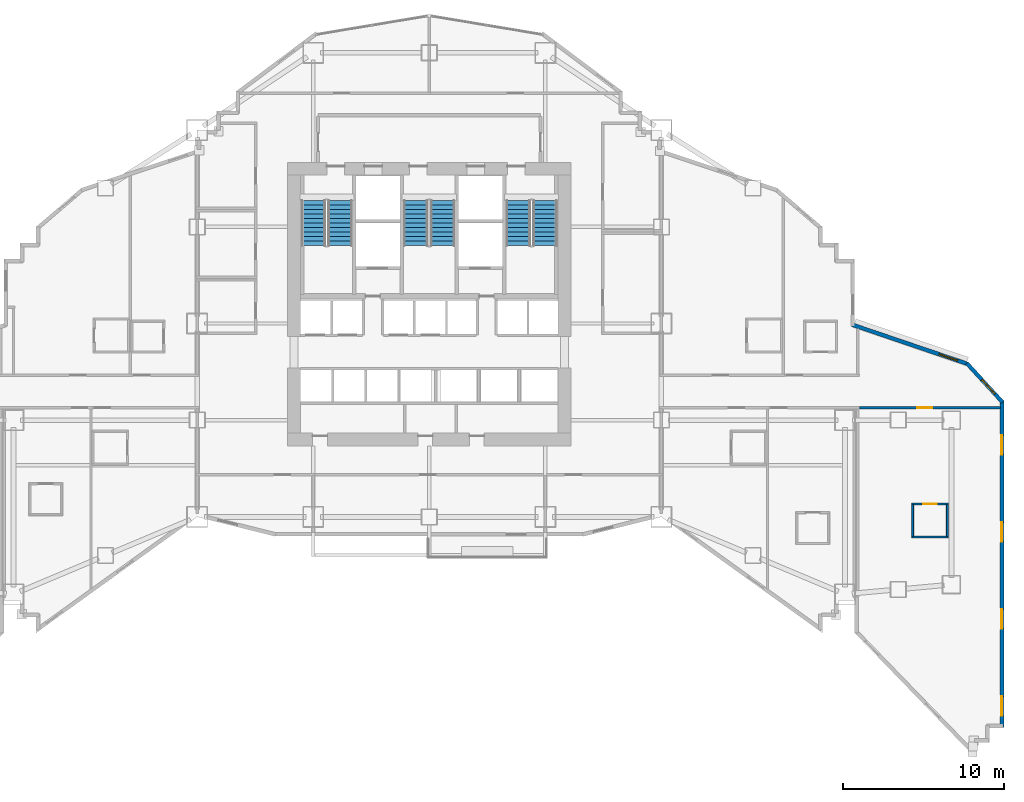
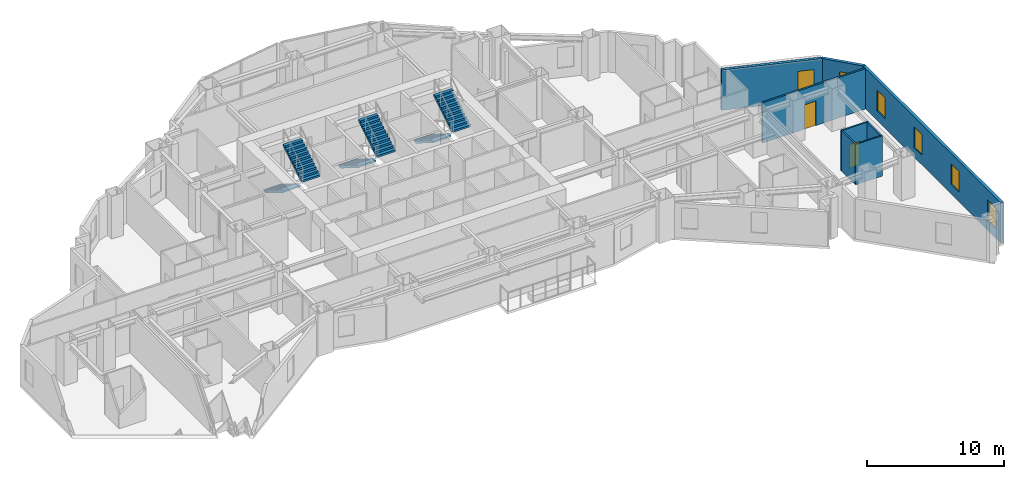
# One storey, part 12 of 17: 8 walls, 6 stair flights, 6 windows, 2 doors, 8 openings, 3 elements without a shape of their own.
"""IFC4 building model written with IfcOpenShell, lengths in metres."""

from ifc_helpers import new_model, si_unit, direction, frame, frame_2d, origin, place, context, subcontext, project, spatial, polyline, rectangle, outline, extrude, material, layer, layer_set, type_object, element, fill, aggregate, save


model = new_model("IFC4")

# Units and contexts
model_context = context("Model", 3, precision=1e-05, world=origin(), true_north=direction((0.0, 1.0)))
body_context = subcontext(model_context, "Body", "Model", "MODEL_VIEW")
ifc_project = project(units=[si_unit("LENGTHUNIT", "METRE"), si_unit("AREAUNIT", "SQUARE_METRE"), si_unit("VOLUMEUNIT", "CUBIC_METRE"), si_unit("PLANEANGLEUNIT", "RADIAN"), si_unit("MASSUNIT", "GRAM", prefix="KILO")], contexts=[model_context])

# Site, building, storey
site_placement = place(None, origin())
site = spatial("IfcSite", under=ifc_project, at=site_placement, CompositionType="ELEMENT")
building_placement = place(site_placement, origin())
building = spatial("IfcBuilding", under=site, at=building_placement, Name="Haolan Belvedere Tower", CompositionType="ELEMENT")
storey_placement = place(building_placement, frame((0.0, 0.0, 35.39990234375)))
storey = spatial("IfcBuildingStorey", under=building, at=storey_placement, Name="L08", CompositionType="ELEMENT", Elevation=35.39990234375)

# Wall, openings, windows
ifc_material_1 = material(Name="Precast concrete C40/50", Category="concrete")
ifc_layer_1 = layer(ifc_material_1, 0.239990234375, Name="Precast concrete C40/50")
ifc_layer_set_1 = layer_set([ifc_layer_1], Name="Precast concrete C40/50")
wall_type_1 = type_object("IfcWallType", Name="WL-EXT-240", PredefinedType="SOLIDWALL", material=ifc_layer_set_1)
wall_1_placement = place(storey_placement, frame((73.93994140625, 8.55810546875, 0.0), z_axis=(0.0, 0.0, 1.0), x_axis=(0.0, 1.0, 0.0)))
wall_1 = element("IfcWall", 1, at=wall_1_placement, inside=storey, type_object=wall_type_1, Name="L08 pale-metal exterior spandrel wall 26.1", PredefinedType="SOLIDWALL", context=body_context, shape_type="SweptSolid", body=[
    extrude(rectangle(XDim=20.250244140625, YDim=0.239990234375, at=frame_2d((10.125, 0.0))), origin(), (0.0, 0.0, 1.0), 3.60009765625),
])
opening_1_placement = place(wall_1_placement, frame((0.699951171875, 0.0, 0.85009765625)))
opening_1 = element("IfcOpeningElement", 2, at=opening_1_placement, cuts=wall_1, Name="Opening W-01", PredefinedType="OPENING", context=body_context, shape_type="SweptSolid", body=[
    extrude(rectangle(XDim=1.199951171875, YDim=1.85009765625, at=frame_2d((0.60009765625, 0.925048828125))), frame((0.0, 0.1298828125, 0.0), z_axis=(0.0, -1.0, 0.0), x_axis=(1.0, 0.0, 0.0)), (0.0, 0.0, 1.0), 0.260009765625),
])
opening_2_placement = place(wall_1_placement, frame((6.10009765625, 0.0, 0.85009765625)))
opening_2 = element("IfcOpeningElement", 3, at=opening_2_placement, cuts=wall_1, Name="Opening W-01", PredefinedType="OPENING", context=body_context, shape_type="SweptSolid", body=[
    extrude(rectangle(XDim=1.199951171875, YDim=1.85009765625, at=frame_2d((0.60009765625, 0.925048828125))), frame((0.0, 0.1298828125, 0.0), z_axis=(0.0, -1.0, 0.0), x_axis=(1.0, 0.0, 0.0)), (0.0, 0.0, 1.0), 0.260009765625),
])
opening_3_placement = place(wall_1_placement, frame((11.5, 0.0, 0.85009765625)))
opening_3 = element("IfcOpeningElement", 4, at=opening_3_placement, cuts=wall_1, Name="Opening W-01", PredefinedType="OPENING", context=body_context, shape_type="SweptSolid", body=[
    extrude(rectangle(XDim=1.199951171875, YDim=1.85009765625, at=frame_2d((0.60009765625, 0.925048828125))), frame((0.0, 0.1298828125, 0.0), z_axis=(0.0, -1.0, 0.0), x_axis=(1.0, 0.0, 0.0)), (0.0, 0.0, 1.0), 0.260009765625),
])
opening_4_placement = place(wall_1_placement, frame((16.89990234375, 0.0, 0.85009765625)))
opening_4 = element("IfcOpeningElement", 5, at=opening_4_placement, cuts=wall_1, Name="Opening W-01", PredefinedType="OPENING", context=body_context, shape_type="SweptSolid", body=[
    extrude(rectangle(XDim=1.199951171875, YDim=1.85009765625, at=frame_2d((0.60009765625, 0.925048828125))), frame((0.0, 0.1298828125, 0.0), z_axis=(0.0, -1.0, 0.0), x_axis=(1.0, 0.0, 0.0)), (0.0, 0.0, 1.0), 0.260009765625),
])
ifc_material_2 = material(Name="Anodised aluminium 6063-T6 and Low-E glass", Category="aluminium")
window_type = type_object("IfcWindowType", Name="WN-DECO-Z1", PartitioningType="SINGLE_PANEL", PredefinedType="WINDOW", material=ifc_material_2)
window_1_placement = place(opening_1_placement, origin())
window_1 = element("IfcWindow", 6, at=window_1_placement, inside=storey, type_object=window_type, Name="L08 Art Deco chevron window 1", OverallHeight=1.85009765625, OverallWidth=1.199951171875, PartitioningType="SINGLE_PANEL", PredefinedType="WINDOW", context=body_context, shape_type="SweptSolid", body=[
    extrude(rectangle(XDim=1.199951171875, YDim=1.85009765625, at=frame_2d((0.60009765625, 0.925048828125))), frame((0.0, 0.030029296875, 0.0), z_axis=(0.0, -1.0, 0.0), x_axis=(1.0, 0.0, 0.0)), (0.0, 0.0, 1.0), 0.06005859375),
])
fill(opening_1, window_1)
window_2_placement = place(opening_2_placement, origin())
window_2 = element("IfcWindow", 7, at=window_2_placement, inside=storey, type_object=window_type, Name="L08 Art Deco chevron window 2", OverallHeight=1.85009765625, OverallWidth=1.199951171875, PartitioningType="SINGLE_PANEL", PredefinedType="WINDOW", context=body_context, shape_type="SweptSolid", body=[
    extrude(rectangle(XDim=1.199951171875, YDim=1.85009765625, at=frame_2d((0.60009765625, 0.925048828125))), frame((0.0, 0.030029296875, 0.0), z_axis=(0.0, -1.0, 0.0), x_axis=(1.0, 0.0, 0.0)), (0.0, 0.0, 1.0), 0.06005859375),
])
fill(opening_2, window_2)
window_3_placement = place(opening_3_placement, origin())
window_3 = element("IfcWindow", 8, at=window_3_placement, inside=storey, type_object=window_type, Name="L08 Art Deco chevron window 3", OverallHeight=1.85009765625, OverallWidth=1.199951171875, PartitioningType="SINGLE_PANEL", PredefinedType="WINDOW", context=body_context, shape_type="SweptSolid", body=[
    extrude(rectangle(XDim=1.199951171875, YDim=1.85009765625, at=frame_2d((0.60009765625, 0.925048828125))), frame((0.0, 0.030029296875, 0.0), z_axis=(0.0, -1.0, 0.0), x_axis=(1.0, 0.0, 0.0)), (0.0, 0.0, 1.0), 0.06005859375),
])
fill(opening_3, window_3)
window_4_placement = place(opening_4_placement, origin())
window_4 = element("IfcWindow", 9, at=window_4_placement, inside=storey, type_object=window_type, Name="L08 Art Deco chevron window 4", OverallHeight=1.85009765625, OverallWidth=1.199951171875, PartitioningType="SINGLE_PANEL", PredefinedType="WINDOW", context=body_context, shape_type="SweptSolid", body=[
    extrude(rectangle(XDim=1.199951171875, YDim=1.85009765625, at=frame_2d((0.60009765625, 0.925048828125))), frame((0.0, 0.030029296875, 0.0), z_axis=(0.0, -1.0, 0.0), x_axis=(1.0, 0.0, 0.0)), (0.0, 0.0, 1.0), 0.06005859375),
])
fill(opening_4, window_4)

# Wall, opening, window
wall_2_placement = place(storey_placement, frame((73.977294921875, 28.712890625, 0.0), z_axis=(0.0, 0.0, 1.0), x_axis=(-0.675778419356, 0.73710482832, 0.0)))
wall_2 = element("IfcWall", 10, at=wall_2_placement, inside=storey, type_object=wall_type_1, Name="L08 pale-metal exterior spandrel wall 27.1", PredefinedType="SOLIDWALL", context=body_context, shape_type="SweptSolid", body=[
    extrude(rectangle(XDim=3.288330078125, YDim=0.239990234375, at=frame_2d((1.64404296875, 0.0))), origin(), (0.0, 0.0, 1.0), 3.60009765625),
])
opening_5_placement = place(wall_2_placement, frame((0.699951171875, 0.0, 0.85009765625)))
opening_5 = element("IfcOpeningElement", 11, at=opening_5_placement, cuts=wall_2, Name="Opening W-01", PredefinedType="OPENING", context=body_context, shape_type="SweptSolid", body=[
    extrude(rectangle(XDim=1.199951171875, YDim=1.85009765625, at=frame_2d((0.60009765625, 0.925048828125))), frame((0.0, 0.1298828125, 0.0), z_axis=(0.0, -1.0, 0.0), x_axis=(1.0, 0.0, 0.0)), (0.0, 0.0, 1.0), 0.260009765625),
])
window_5_placement = place(opening_5_placement, origin())
window_5 = element("IfcWindow", 12, at=window_5_placement, inside=storey, type_object=window_type, Name="L08 Art Deco chevron window 1", OverallHeight=1.85009765625, OverallWidth=1.199951171875, PartitioningType="SINGLE_PANEL", PredefinedType="WINDOW", context=body_context, shape_type="SweptSolid", body=[
    extrude(rectangle(XDim=1.199951171875, YDim=1.85009765625, at=frame_2d((0.60009765625, 0.925048828125))), frame((0.0, 0.030029296875, 0.0), z_axis=(0.0, -1.0, 0.0), x_axis=(1.0, 0.0, 0.0)), (0.0, 0.0, 1.0), 0.06005859375),
])
fill(opening_5, window_5)

wall_3_placement = place(storey_placement, frame((71.844482421875, 31.07861328125, 0.0), z_axis=(0.0, 0.0, 1.0), x_axis=(-0.946792852546, 0.321843586805, 0.0)))
wall_3 = element("IfcWall", 13, at=wall_3_placement, inside=storey, type_object=wall_type_1, Name="L08 pale-metal exterior spandrel wall 28.1", PredefinedType="SOLIDWALL", context=body_context, shape_type="SweptSolid", body=[
    extrude(rectangle(XDim=7.6220703125, YDim=0.239990234375, at=frame_2d((3.81103515625, 0.0))), origin(), (0.0, 0.0, 1.0), 3.60009765625),
])
opening_6_placement = place(wall_3_placement, frame((0.699951171875, 0.0, 0.85009765625)))
opening_6 = element("IfcOpeningElement", 14, at=opening_6_placement, cuts=wall_3, Name="Opening W-01", PredefinedType="OPENING", context=body_context, shape_type="SweptSolid", body=[
    extrude(rectangle(XDim=1.199951171875, YDim=1.85009765625, at=frame_2d((0.60009765625, 0.925048828125))), frame((0.0, 0.1298828125, 0.0), z_axis=(0.0, -1.0, 0.0), x_axis=(1.0, 0.0, 0.0)), (0.0, 0.0, 1.0), 0.260009765625),
])
window_6_placement = place(opening_6_placement, origin())
window_6 = element("IfcWindow", 15, at=window_6_placement, inside=storey, type_object=window_type, Name="L08 Art Deco chevron window 1", OverallHeight=1.85009765625, OverallWidth=1.199951171875, PartitioningType="SINGLE_PANEL", PredefinedType="WINDOW", context=body_context, shape_type="SweptSolid", body=[
    extrude(rectangle(XDim=1.199951171875, YDim=1.85009765625, at=frame_2d((0.60009765625, 0.925048828125))), frame((0.0, 0.030029296875, 0.0), z_axis=(0.0, -1.0, 0.0), x_axis=(1.0, 0.0, 0.0)), (0.0, 0.0, 1.0), 0.06005859375),
])
fill(opening_6, window_6)

# Wall, opening, door
ifc_material_3 = material(Name="Double gypsum acoustic stud partition", Category="masonry")
ifc_layer_2 = layer(ifc_material_3, 0.14990234375, Name="Double gypsum acoustic stud partition")
ifc_layer_set_2 = layer_set([ifc_layer_2], Name="Double gypsum acoustic stud partition")
wall_type_2 = type_object("IfcWallType", Name="WL-PART-150", PredefinedType="PARTITIONING", material=ifc_layer_set_2)
wall_4_placement = place(storey_placement, frame((65.10205078125, 28.3701171875, 0.0), z_axis=(0.0, 0.0, 1.0), x_axis=(1.0, 0.0, 0.0)))
wall_4 = element("IfcWall", 16, at=wall_4_placement, inside=storey, type_object=wall_type_2, Name="L08 interior partition IW-L08-T5S1-N", PredefinedType="PARTITIONING", context=body_context, shape_type="SweptSolid", body=[
    extrude(rectangle(XDim=8.73291015625, YDim=0.14990234375, at=frame_2d((4.366455078125, 0.0))), origin(), (0.0, 0.0, 1.0), 3.60009765625),
])
opening_7_placement = place(wall_4_placement, frame((4.5234375, 0.0, 0.0), z_axis=(0.0, 0.0, 1.0), x_axis=(-1.0, 0.0, 0.0)))
opening_7 = element("IfcOpeningElement", 17, at=opening_7_placement, cuts=wall_4, Name="Opening ID-01", PredefinedType="OPENING", context=body_context, shape_type="SweptSolid", body=[
    extrude(rectangle(XDim=0.949951171875, YDim=2.179931640625, at=frame_2d((0.47509765625, 1.08984375))), frame((0.0, 0.0849609375, 0.0), z_axis=(0.0, -1.0, 0.0), x_axis=(1.0, 0.0, 0.0)), (0.0, 0.0, 1.0), 0.169921875),
])
ifc_material_4 = material(Name="Acoustic walnut veneer fire-rated timber", Category="wood")
door_type_1 = type_object("IfcDoorType", Name="DR-SUITE-950", OperationType="NOTDEFINED", PredefinedType="DOOR", material=ifc_material_4)
door_1_placement = place(opening_7_placement, origin())
door_1 = element("IfcDoor", 18, at=door_1_placement, inside=storey, type_object=door_type_1, Name="L08 door ID-L08-T5S1-ENT", OperationType="SINGLE_SWING_RIGHT", OverallHeight=2.179931640625, OverallWidth=0.949951171875, PredefinedType="DOOR", context=body_context, shape_type="SweptSolid", body=[
    extrude(rectangle(XDim=0.949951171875, YDim=2.179931640625, at=frame_2d((0.47509765625, 1.08984375))), frame((0.0, 0.02490234375, 0.0), z_axis=(0.0, -1.0, 0.0), x_axis=(1.0, 0.0, 0.0)), (0.0, 0.0, 1.0), 0.050048828125),
])
fill(opening_7, door_1)

ifc_material_5 = material(Name="Moisture-resistant gypsum tile partition", Category="masonry")
ifc_layer_3 = layer(ifc_material_5, 0.1201171875, Name="Moisture-resistant gypsum tile partition")
ifc_layer_set_3 = layer_set([ifc_layer_3], Name="Moisture-resistant gypsum tile partition")
wall_type_3 = type_object("IfcWallType", Name="WL-WET-120", PredefinedType="PARTITIONING", material=ifc_layer_set_3)
wall_5_placement = place(storey_placement, frame((68.3369140625, 22.39990234375, 0.0), z_axis=(0.0, 0.0, 1.0), x_axis=(1.0, 0.0, 0.0)))
wall_5 = element("IfcWall", 19, at=wall_5_placement, inside=storey, type_object=wall_type_3, Name="L08 interior partition IW-L08-T5S1-BN", PredefinedType="PARTITIONING", context=body_context, shape_type="SweptSolid", body=[
    extrude(rectangle(XDim=2.27001953125, YDim=0.1201171875, at=frame_2d((1.135009765625, 0.0))), origin(), (0.0, 0.0, 1.0), 3.60009765625),
])
opening_8_placement = place(wall_5_placement, frame((1.56005859375, 0.0, 0.0), z_axis=(0.0, 0.0, 1.0), x_axis=(-1.0, 0.0, 0.0)))
opening_8 = element("IfcOpeningElement", 20, at=opening_8_placement, cuts=wall_5, Name="Opening ID-05", PredefinedType="OPENING", context=body_context, shape_type="SweptSolid", body=[
    extrude(rectangle(XDim=0.85009765625, YDim=2.10009765625, at=frame_2d((0.425048828125, 1.050048828125))), frame((0.0, 0.070068359375, 0.0), z_axis=(0.0, -1.0, 0.0), x_axis=(1.0, 0.0, 0.0)), (0.0, 0.0, 1.0), 0.14013671875),
])
ifc_material_6 = material(Name="Moisture-resistant lacquered timber", Category="wood")
door_type_2 = type_object("IfcDoorType", Name="DR-BATH-850", OperationType="NOTDEFINED", PredefinedType="DOOR", material=ifc_material_6)
door_2_placement = place(opening_8_placement, origin())
door_2 = element("IfcDoor", 21, at=door_2_placement, inside=storey, type_object=door_type_2, Name="L08 door ID-L08-T5S1-BATH", OperationType="SINGLE_SWING_LEFT", OverallHeight=2.10009765625, OverallWidth=0.85009765625, PredefinedType="DOOR", context=body_context, shape_type="SweptSolid", body=[
    extrude(rectangle(XDim=0.85009765625, YDim=2.10009765625, at=frame_2d((0.425048828125, 1.050048828125))), frame((0.0, 0.02490234375, 0.0), z_axis=(0.0, -1.0, 0.0), x_axis=(1.0, 0.0, 0.0)), (0.0, 0.0, 1.0), 0.050048828125),
])
fill(opening_8, door_2)

# Walls
wall_6_placement = place(storey_placement, frame((68.3369140625, 20.35009765625, 0.0), z_axis=(0.0, 0.0, 1.0), x_axis=(1.0, 0.0, 0.0)))
element("IfcWall", 22, at=wall_6_placement, inside=storey, type_object=wall_type_3, Name="L08 interior partition IW-L08-T5S1-BS", PredefinedType="PARTITIONING", context=body_context, shape_type="SweptSolid", body=[
    extrude(rectangle(XDim=2.27001953125, YDim=0.1201171875, at=frame_2d((1.135009765625, 0.0))), origin(), (0.0, 0.0, 1.0), 3.60009765625),
])
for number, where, z_axis, x_axis, name in (
    (23, (68.39697265625, 20.39501953125, 0.0), (0.0, 0.0, 1.0), (0.0, 1.0, 0.0), "L08 interior partition IW-L08-T5S1-BW"),
    (24, (70.547119140625, 20.39501953125, 0.0), (0.0, 0.0, 1.0), (0.0, 1.0, 0.0), "L08 interior partition IW-L08-T5S1-BE"),
):
    element("IfcWall", number, at=place(storey_placement, frame(where, z_axis=z_axis, x_axis=x_axis)), inside=storey, type_object=wall_type_3, Name=name, PredefinedType="PARTITIONING", context=body_context, shape_type="SweptSolid", body=[
        extrude(rectangle(XDim=1.9599609375, YDim=0.1201171875, at=frame_2d((0.97998046875, 0.0))), origin(), (0.0, 0.0, 1.0), 3.60009765625),
    ])

# Stair, stair flights
ifc_material_7 = material(Name="Concrete C40/50", Category="concrete")
stair_type = type_object("IfcStairType", Name="STR-DL-22R-173", PredefinedType="HALF_TURN_STAIR", material=ifc_material_7)
stair_1_placement = place(storey_placement, origin())
stair_1 = element("IfcStair", 25, at=stair_1_placement, inside=storey, type_object=stair_type, Name="L08 Smokeproof Core Exit Stair ST1", PredefinedType="HALF_TURN_STAIR")
stair_flight_type = type_object("IfcStairFlightType", Name="SFL-DL-11R-173", PredefinedType="STRAIGHT", material=ifc_material_7)
stair_flight_1_placement = place(storey_placement, frame((31.2099609375, 41.22998046875, 0.0), z_axis=(0.0, 0.0, 1.0), x_axis=(0.0, -1.0, 0.0)))
stair_flight_1 = element("IfcStairFlight", 26, at=stair_flight_1_placement, type_object=stair_flight_type, Name="ST1 flight 1", NumberOfRisers=11, NumberOfTreads=10, PredefinedType="STRAIGHT", RiserHeight=0.172727273, TreadLength=0.28, context=body_context, shape_type="SweptSolid", body=[
    extrude(outline(polyline([(0.0, 0.0), (0.0, 0.172607421875), (0.280029296875, 0.172607421875), (0.280029296875, 0.345458984375), (0.56005859375, 0.345458984375), (0.56005859375, 0.51806640625), (0.840087890625, 0.51806640625), (0.840087890625, 0.69091796875), (1.1201171875, 0.69091796875), (1.1201171875, 0.863525390625), (1.39990234375, 0.863525390625), (1.39990234375, 1.036376953125), (1.679931640625, 1.036376953125), (1.679931640625, 1.208984375), (1.9599609375, 1.208984375), (1.9599609375, 1.3818359375), (2.239990234375, 1.3818359375), (2.239990234375, 1.554443359375), (2.52001953125, 1.554443359375), (2.52001953125, 1.727294921875), (2.800048828125, 1.727294921875), (2.800048828125, 1.89990234375), (2.800048828125, 1.551025390625), (0.285400390625, 0.0), (0.0, 0.0)])), frame((0.0, 0.760009765625, 0.0), z_axis=(0.0, -1.0, 0.0), x_axis=(1.0, 0.0, 0.0)), (0.0, 0.0, 1.0), 1.52001953125),
])
stair_flight_2_placement = place(storey_placement, frame((32.8701171875, 38.429931640625, 1.900146484375), z_axis=(0.0, 0.0, 1.0), x_axis=(0.0, 1.0, 0.0)))
stair_flight_2 = element("IfcStairFlight", 27, at=stair_flight_2_placement, type_object=stair_flight_type, Name="ST1 flight 2", NumberOfRisers=11, NumberOfTreads=10, PredefinedType="STRAIGHT", RiserHeight=0.172727273, TreadLength=0.28, context=body_context, shape_type="SweptSolid", body=[
    extrude(outline(polyline([(0.0, 0.0), (0.0, 0.172607421875), (0.280029296875, 0.172607421875), (0.280029296875, 0.345458984375), (0.56005859375, 0.345458984375), (0.56005859375, 0.51806640625), (0.840087890625, 0.51806640625), (0.840087890625, 0.69091796875), (1.1201171875, 0.69091796875), (1.1201171875, 0.863525390625), (1.39990234375, 0.863525390625), (1.39990234375, 1.036376953125), (1.679931640625, 1.036376953125), (1.679931640625, 1.208984375), (1.9599609375, 1.208984375), (1.9599609375, 1.3818359375), (2.239990234375, 1.3818359375), (2.239990234375, 1.554443359375), (2.52001953125, 1.554443359375), (2.52001953125, 1.727294921875), (2.800048828125, 1.727294921875), (2.800048828125, 1.89990234375), (2.800048828125, 1.551025390625), (0.285400390625, 0.0), (0.0, 0.0)])), frame((0.0, 0.760009765625, 0.0), z_axis=(0.0, -1.0, 0.0), x_axis=(1.0, 0.0, 0.0)), (0.0, 0.0, 1.0), 1.52001953125),
])
aggregate(stair_1, [stair_flight_1, stair_flight_2])

stair_2_placement = place(storey_placement, origin())
stair_2 = element("IfcStair", 28, at=stair_2_placement, inside=storey, type_object=stair_type, Name="L08 Smokeproof Core Exit Stair ST3", PredefinedType="HALF_TURN_STAIR")
stair_flight_3_placement = place(storey_placement, frame((37.570068359375, 41.22998046875, 0.0), z_axis=(0.0, 0.0, 1.0), x_axis=(0.0, -1.0, 0.0)))
stair_flight_3 = element("IfcStairFlight", 29, at=stair_flight_3_placement, type_object=stair_flight_type, Name="ST3 flight 1", NumberOfRisers=11, NumberOfTreads=10, PredefinedType="STRAIGHT", RiserHeight=0.172727273, TreadLength=0.28, context=body_context, shape_type="SweptSolid", body=[
    extrude(outline(polyline([(0.0, 0.0), (0.0, 0.172607421875), (0.280029296875, 0.172607421875), (0.280029296875, 0.345458984375), (0.56005859375, 0.345458984375), (0.56005859375, 0.51806640625), (0.840087890625, 0.51806640625), (0.840087890625, 0.69091796875), (1.1201171875, 0.69091796875), (1.1201171875, 0.863525390625), (1.39990234375, 0.863525390625), (1.39990234375, 1.036376953125), (1.679931640625, 1.036376953125), (1.679931640625, 1.208984375), (1.9599609375, 1.208984375), (1.9599609375, 1.3818359375), (2.239990234375, 1.3818359375), (2.239990234375, 1.554443359375), (2.52001953125, 1.554443359375), (2.52001953125, 1.727294921875), (2.800048828125, 1.727294921875), (2.800048828125, 1.89990234375), (2.800048828125, 1.551025390625), (0.285400390625, 0.0), (0.0, 0.0)])), frame((0.0, 0.760009765625, 0.0), z_axis=(0.0, -1.0, 0.0), x_axis=(1.0, 0.0, 0.0)), (0.0, 0.0, 1.0), 1.52001953125),
])
stair_flight_4_placement = place(storey_placement, frame((39.22998046875, 38.429931640625, 1.900146484375), z_axis=(0.0, 0.0, 1.0), x_axis=(0.0, 1.0, 0.0)))
stair_flight_4 = element("IfcStairFlight", 30, at=stair_flight_4_placement, type_object=stair_flight_type, Name="ST3 flight 2", NumberOfRisers=11, NumberOfTreads=10, PredefinedType="STRAIGHT", RiserHeight=0.172727273, TreadLength=0.28, context=body_context, shape_type="SweptSolid", body=[
    extrude(outline(polyline([(0.0, 0.0), (0.0, 0.172607421875), (0.280029296875, 0.172607421875), (0.280029296875, 0.345458984375), (0.56005859375, 0.345458984375), (0.56005859375, 0.51806640625), (0.840087890625, 0.51806640625), (0.840087890625, 0.69091796875), (1.1201171875, 0.69091796875), (1.1201171875, 0.863525390625), (1.39990234375, 0.863525390625), (1.39990234375, 1.036376953125), (1.679931640625, 1.036376953125), (1.679931640625, 1.208984375), (1.9599609375, 1.208984375), (1.9599609375, 1.3818359375), (2.239990234375, 1.3818359375), (2.239990234375, 1.554443359375), (2.52001953125, 1.554443359375), (2.52001953125, 1.727294921875), (2.800048828125, 1.727294921875), (2.800048828125, 1.89990234375), (2.800048828125, 1.551025390625), (0.285400390625, 0.0), (0.0, 0.0)])), frame((0.0, 0.760009765625, 0.0), z_axis=(0.0, -1.0, 0.0), x_axis=(1.0, 0.0, 0.0)), (0.0, 0.0, 1.0), 1.52001953125),
])
aggregate(stair_2, [stair_flight_3, stair_flight_4])

stair_3_placement = place(storey_placement, origin())
stair_3 = element("IfcStair", 31, at=stair_3_placement, inside=storey, type_object=stair_type, Name="L08 Smokeproof Core Exit Stair ST2", PredefinedType="HALF_TURN_STAIR")
stair_flight_5_placement = place(storey_placement, frame((43.929931640625, 41.22998046875, 0.0), z_axis=(0.0, 0.0, 1.0), x_axis=(0.0, -1.0, 0.0)))
stair_flight_5 = element("IfcStairFlight", 32, at=stair_flight_5_placement, type_object=stair_flight_type, Name="ST2 flight 1", NumberOfRisers=11, NumberOfTreads=10, PredefinedType="STRAIGHT", RiserHeight=0.172727273, TreadLength=0.28, context=body_context, shape_type="SweptSolid", body=[
    extrude(outline(polyline([(0.0, 0.0), (0.0, 0.172607421875), (0.280029296875, 0.172607421875), (0.280029296875, 0.345458984375), (0.56005859375, 0.345458984375), (0.56005859375, 0.51806640625), (0.840087890625, 0.51806640625), (0.840087890625, 0.69091796875), (1.1201171875, 0.69091796875), (1.1201171875, 0.863525390625), (1.39990234375, 0.863525390625), (1.39990234375, 1.036376953125), (1.679931640625, 1.036376953125), (1.679931640625, 1.208984375), (1.9599609375, 1.208984375), (1.9599609375, 1.3818359375), (2.239990234375, 1.3818359375), (2.239990234375, 1.554443359375), (2.52001953125, 1.554443359375), (2.52001953125, 1.727294921875), (2.800048828125, 1.727294921875), (2.800048828125, 1.89990234375), (2.800048828125, 1.551025390625), (0.285400390625, 0.0), (0.0, 0.0)])), frame((0.0, 0.760009765625, 0.0), z_axis=(0.0, -1.0, 0.0), x_axis=(1.0, 0.0, 0.0)), (0.0, 0.0, 1.0), 1.52001953125),
])
stair_flight_6_placement = place(storey_placement, frame((45.590087890625, 38.429931640625, 1.900146484375), z_axis=(0.0, 0.0, 1.0), x_axis=(0.0, 1.0, 0.0)))
stair_flight_6 = element("IfcStairFlight", 33, at=stair_flight_6_placement, type_object=stair_flight_type, Name="ST2 flight 2", NumberOfRisers=11, NumberOfTreads=10, PredefinedType="STRAIGHT", RiserHeight=0.172727273, TreadLength=0.28, context=body_context, shape_type="SweptSolid", body=[
    extrude(outline(polyline([(0.0, 0.0), (0.0, 0.172607421875), (0.280029296875, 0.172607421875), (0.280029296875, 0.345458984375), (0.56005859375, 0.345458984375), (0.56005859375, 0.51806640625), (0.840087890625, 0.51806640625), (0.840087890625, 0.69091796875), (1.1201171875, 0.69091796875), (1.1201171875, 0.863525390625), (1.39990234375, 0.863525390625), (1.39990234375, 1.036376953125), (1.679931640625, 1.036376953125), (1.679931640625, 1.208984375), (1.9599609375, 1.208984375), (1.9599609375, 1.3818359375), (2.239990234375, 1.3818359375), (2.239990234375, 1.554443359375), (2.52001953125, 1.554443359375), (2.52001953125, 1.727294921875), (2.800048828125, 1.727294921875), (2.800048828125, 1.89990234375), (2.800048828125, 1.551025390625), (0.285400390625, 0.0), (0.0, 0.0)])), frame((0.0, 0.760009765625, 0.0), z_axis=(0.0, -1.0, 0.0), x_axis=(1.0, 0.0, 0.0)), (0.0, 0.0, 1.0), 1.52001953125),
])
aggregate(stair_3, [stair_flight_5, stair_flight_6])

save(model, "model.ifc")
